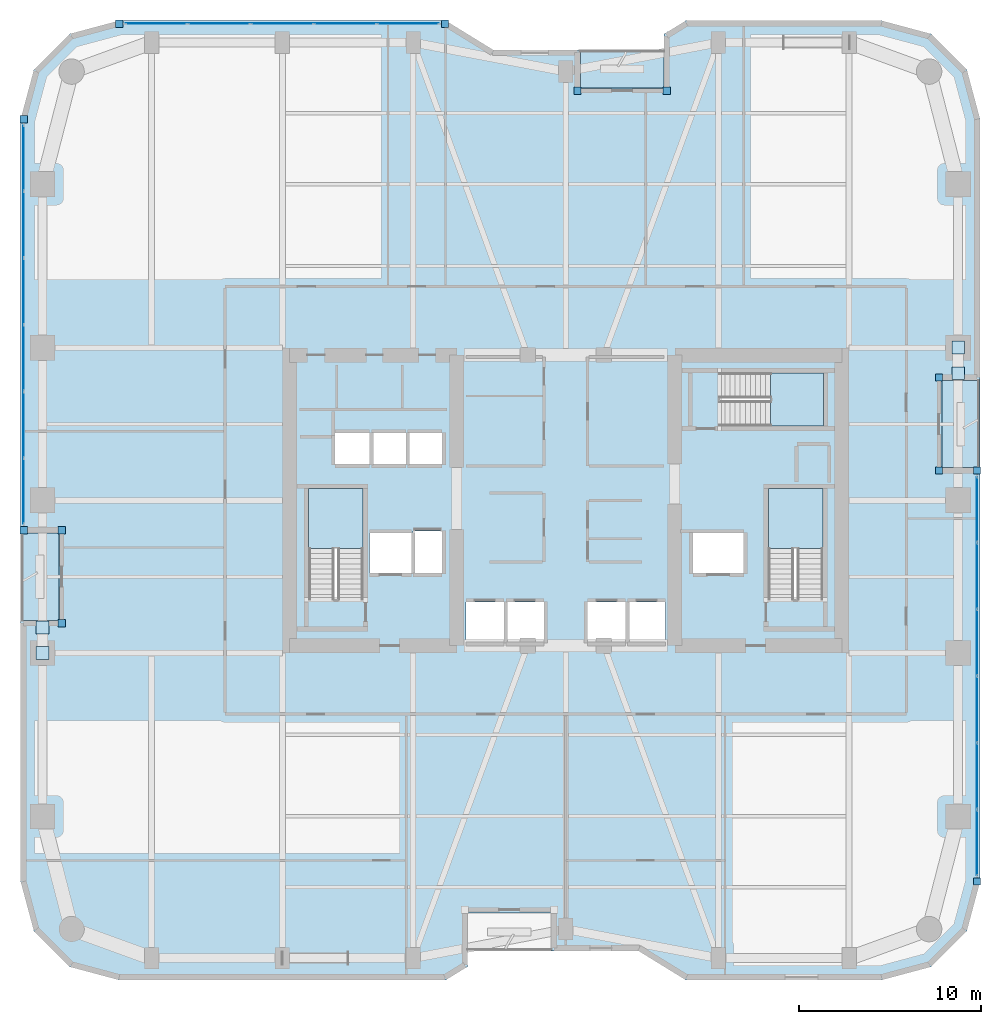
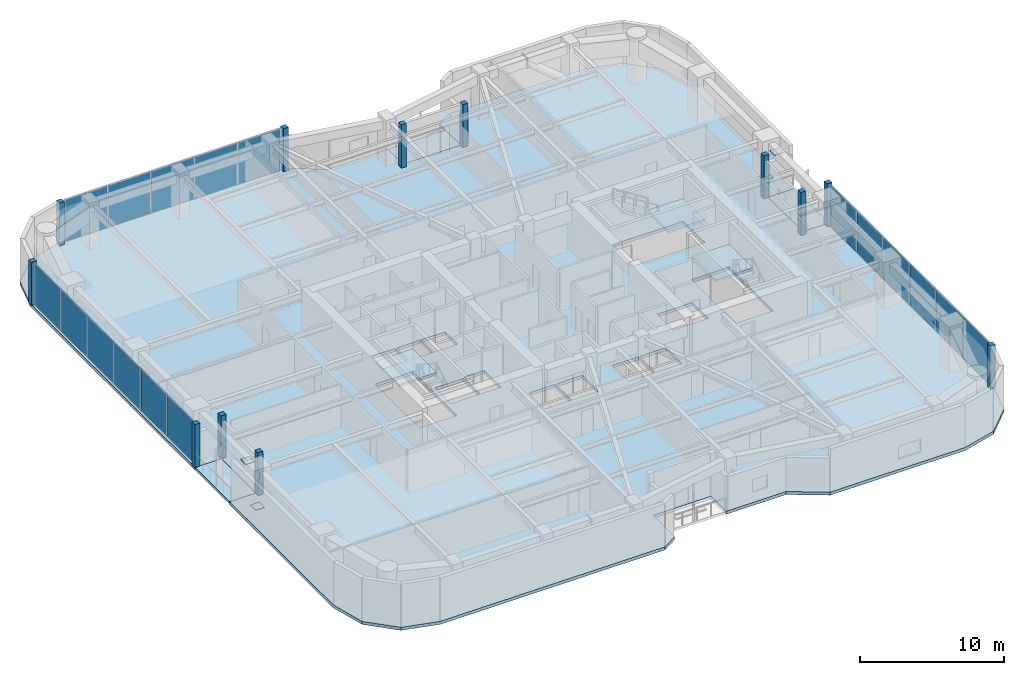
# One storey, part 16 of 24: 33 plates, 7 slabs, 6 elements without a shape of their own.
"""IFC4 building model written with IfcOpenShell, lengths in metres."""

from ifc_helpers import new_model, si_unit, direction, frame, origin, origin_2d, place, context, subcontext, project, spatial, polyline, rectangle, outline, extrude, material, layer, layer_set, type_object, element, aggregate, save


model = new_model("IFC4")

# Units and contexts
model_context = context("Model", 3, precision=1e-05, world=origin(), true_north=direction((0.0, 1.0)))
body_context = subcontext(model_context, "Body", "Model", "MODEL_VIEW")
ifc_project = project(units=[si_unit("LENGTHUNIT", "METRE"), si_unit("AREAUNIT", "SQUARE_METRE"), si_unit("VOLUMEUNIT", "CUBIC_METRE"), si_unit("PLANEANGLEUNIT", "RADIAN"), si_unit("MASSUNIT", "GRAM", prefix="KILO")], contexts=[model_context])

# Site, building, storey
site_placement = place(None, origin())
site = spatial("IfcSite", under=ifc_project, at=site_placement, CompositionType="ELEMENT")
building_placement = place(site_placement, origin())
building = spatial("IfcBuilding", under=site, at=building_placement, Name="Kiyonajd Concourse Tower", CompositionType="ELEMENT")
storey_placement = place(building_placement, frame((0.0, 0.0, 93.60009765625)))
storey = spatial("IfcBuildingStorey", under=building, at=storey_placement, Name="L24", CompositionType="ELEMENT", Elevation=93.60009765625)

# Plates
ifc_material_1 = material(Name="Steel ASTM A572 Grade 50", Category="steel")
ifc_layer_1 = layer(ifc_material_1, 0.028076171875)
ifc_layer_set_1 = layer_set([ifc_layer_1], Name="Steel ASTM A572 Grade 50")
plate_type_1 = type_object("IfcPlateType", Name="PL-CAP-450", PredefinedType="USERDEFINED", material=ifc_layer_set_1)
for number, where, z_axis, x_axis, name in (
    (1, (19.199951171875, 27.59521484375, 0.27587890625), (0.0, 0.0, 1.0), (1.0, 0.0, 0.0), "L24 Hollow Brace End Cap Plate PBW"),
    (2, (19.199951171875, 29.004638671875, 3.28564453125), (0.0, 0.0, 1.0), (1.0, 0.0, 0.0), "L24 Hollow Brace Top Cap Plate PBW"),
    (3, (69.60009765625, 44.40478515625, 0.27587890625), (0.0, 0.0, 1.0), (1.0, 0.0, 0.0), "L24 Hollow Brace End Cap Plate PBE"),
    (4, (69.60009765625, 42.995361328125, 3.28564453125), (0.0, 0.0, 1.0), (1.0, 0.0, 0.0), "L24 Hollow Brace Top Cap Plate PBE"),
):
    element("IfcPlate", number, at=place(storey_placement, frame(where, z_axis=z_axis, x_axis=x_axis)), inside=storey, type_object=plate_type_1, Name=name, ObjectType="CAP PLATE", PredefinedType="USERDEFINED", context=body_context, shape_type="SweptSolid", body=[
        extrude(rectangle(XDim=0.7099609375, YDim=0.7099609375, at=origin_2d()), origin(), (0.0, 0.0, 1.0), 0.028076171875),
    ])

# Curtain wall, plates
ifc_material_2 = material(Name="Thermally Broken Anodised Aluminium", Category="aluminium")
ifc_layer_2 = layer(ifc_material_2, 0.179931640625)
ifc_layer_set_2 = layer_set([ifc_layer_2], Name="Thermally Broken Anodised Aluminium")
curtain_wall_type = type_object("IfcCurtainWallType", Name="CW-SYS-03", PredefinedType="NOTDEFINED", material=ifc_layer_set_2)
curtain_wall_1_placement = place(storey_placement, origin())
curtain_wall_1 = element("IfcCurtainWall", 5, at=curtain_wall_1_placement, inside=storey, type_object=curtain_wall_type, Name="L24 Unitised Curtain Wall CW3", PredefinedType="NOTDEFINED")
ifc_material_3 = material(Name="Double Low-E Insulated Glass", Category="glass")
ifc_layer_3 = layer(ifc_material_3, 0.033935546875)
ifc_layer_set_3 = layer_set([ifc_layer_3], Name="Double Low-E Insulated Glass")
plate_type_2 = type_object("IfcPlateType", Name="PL-CW-VIS34", PredefinedType="CURTAIN_PANEL", material=ifc_layer_set_3)
plate_1_placement = place(storey_placement, frame((18.159912109375, 36.5029296875, 0.06494140625), z_axis=(0.0, 0.0, 1.0), x_axis=(0.0, 1.0, 0.0)))
plate_1 = element("IfcPlate", 6, at=plate_1_placement, type_object=plate_type_2, Name="CW3 panel 1.1", PredefinedType="CURTAIN_PANEL", context=body_context, shape_type="SweptSolid", body=[
    extrude(rectangle(XDim=3.57568359375, YDim=0.033935546875, at=origin_2d()), origin(), (0.0, 0.0, 1.0), 3.510009765625),
])
plate_2_placement = place(storey_placement, frame((18.159912109375, 40.15966796875, 0.06494140625), z_axis=(0.0, 0.0, 1.0), x_axis=(0.0, 1.0, 0.0)))
plate_2 = element("IfcPlate", 7, at=plate_2_placement, type_object=plate_type_2, Name="CW3 panel 2.1", PredefinedType="CURTAIN_PANEL", context=body_context, shape_type="SweptSolid", body=[
    extrude(rectangle(XDim=3.608154296875, YDim=0.033935546875, at=origin_2d()), origin(), (0.0, 0.0, 1.0), 3.510009765625),
])
plate_3_placement = place(storey_placement, frame((18.159912109375, 43.832763671875, 0.06494140625), z_axis=(0.0, 0.0, 1.0), x_axis=(0.0, 1.0, 0.0)))
plate_3 = element("IfcPlate", 8, at=plate_3_placement, type_object=plate_type_2, Name="CW3 panel 3.1", PredefinedType="CURTAIN_PANEL", context=body_context, shape_type="SweptSolid", body=[
    extrude(rectangle(XDim=3.608154296875, YDim=0.033935546875, at=origin_2d()), origin(), (0.0, 0.0, 1.0), 3.510009765625),
])
plate_4_placement = place(storey_placement, frame((18.159912109375, 47.506103515625, 0.06494140625), z_axis=(0.0, 0.0, 1.0), x_axis=(0.0, 1.0, 0.0)))
plate_4 = element("IfcPlate", 9, at=plate_4_placement, type_object=plate_type_2, Name="CW3 panel 4.1", PredefinedType="CURTAIN_PANEL", context=body_context, shape_type="SweptSolid", body=[
    extrude(rectangle(XDim=3.608154296875, YDim=0.033935546875, at=origin_2d()), origin(), (0.0, 0.0, 1.0), 3.510009765625),
])
plate_5_placement = place(storey_placement, frame((18.159912109375, 51.17919921875, 0.06494140625), z_axis=(0.0, 0.0, 1.0), x_axis=(0.0, 1.0, 0.0)))
plate_5 = element("IfcPlate", 10, at=plate_5_placement, type_object=plate_type_2, Name="CW3 panel 5.1", PredefinedType="CURTAIN_PANEL", context=body_context, shape_type="SweptSolid", body=[
    extrude(rectangle(XDim=3.608154296875, YDim=0.033935546875, at=origin_2d()), origin(), (0.0, 0.0, 1.0), 3.510009765625),
])
plate_6_placement = place(storey_placement, frame((18.159912109375, 54.836181640625, 0.06494140625), z_axis=(0.0, 0.0, 1.0), x_axis=(0.0, 1.0, 0.0)))
plate_6 = element("IfcPlate", 11, at=plate_6_placement, type_object=plate_type_2, Name="CW3 panel 6.1", PredefinedType="CURTAIN_PANEL", context=body_context, shape_type="SweptSolid", body=[
    extrude(rectangle(XDim=3.57568359375, YDim=0.033935546875, at=origin_2d()), origin(), (0.0, 0.0, 1.0), 3.510009765625),
])
aggregate(curtain_wall_1, [plate_1, plate_2, plate_3, plate_4, plate_5, plate_6])

curtain_wall_2_placement = place(storey_placement, origin())
curtain_wall_2 = element("IfcCurtainWall", 12, at=curtain_wall_2_placement, inside=storey, type_object=curtain_wall_type, Name="L24 Unitised Curtain Wall CW3", PredefinedType="NOTDEFINED")
plate_7_placement = place(storey_placement, frame((25.462646484375, 62.239990234375, 0.06494140625), z_axis=(0.0, 0.0, 1.0), x_axis=(1.0, 0.0, 0.0)))
plate_7 = element("IfcPlate", 13, at=plate_7_placement, type_object=plate_type_2, Name="CW3 panel 1.1", PredefinedType="CURTAIN_PANEL", context=body_context, shape_type="SweptSolid", body=[
    extrude(rectangle(XDim=3.373291015625, YDim=0.033935546875, at=origin_2d()), origin(), (0.0, 0.0, 1.0), 3.510009765625),
])
plate_8_placement = place(storey_placement, frame((28.917236328125, 62.239990234375, 0.06494140625), z_axis=(0.0, 0.0, 1.0), x_axis=(1.0, 0.0, 0.0)))
plate_8 = element("IfcPlate", 14, at=plate_8_placement, type_object=plate_type_2, Name="CW3 panel 2.1", PredefinedType="CURTAIN_PANEL", context=body_context, shape_type="SweptSolid", body=[
    extrude(rectangle(XDim=3.40576171875, YDim=0.033935546875, at=origin_2d()), origin(), (0.0, 0.0, 1.0), 3.510009765625),
])
plate_9_placement = place(storey_placement, frame((32.387939453125, 62.239990234375, 0.06494140625), z_axis=(0.0, 0.0, 1.0), x_axis=(1.0, 0.0, 0.0)))
plate_9 = element("IfcPlate", 15, at=plate_9_placement, type_object=plate_type_2, Name="CW3 panel 3.1", PredefinedType="CURTAIN_PANEL", context=body_context, shape_type="SweptSolid", body=[
    extrude(rectangle(XDim=3.40576171875, YDim=0.033935546875, at=origin_2d()), origin(), (0.0, 0.0, 1.0), 3.510009765625),
])
plate_10_placement = place(storey_placement, frame((35.858642578125, 62.239990234375, 0.06494140625), z_axis=(0.0, 0.0, 1.0), x_axis=(1.0, 0.0, 0.0)))
plate_10 = element("IfcPlate", 16, at=plate_10_placement, type_object=plate_type_2, Name="CW3 panel 4.1", PredefinedType="CURTAIN_PANEL", context=body_context, shape_type="SweptSolid", body=[
    extrude(rectangle(XDim=3.40576171875, YDim=0.033935546875, at=origin_2d()), origin(), (0.0, 0.0, 1.0), 3.510009765625),
])
plate_11_placement = place(storey_placement, frame((39.31298828125, 62.239990234375, 0.06494140625), z_axis=(0.0, 0.0, 1.0), x_axis=(1.0, 0.0, 0.0)))
plate_11 = element("IfcPlate", 17, at=plate_11_placement, type_object=plate_type_2, Name="CW3 panel 5.1", PredefinedType="CURTAIN_PANEL", context=body_context, shape_type="SweptSolid", body=[
    extrude(rectangle(XDim=3.373291015625, YDim=0.033935546875, at=origin_2d()), origin(), (0.0, 0.0, 1.0), 3.510009765625),
])
aggregate(curtain_wall_2, [plate_7, plate_8, plate_9, plate_10, plate_11])

curtain_wall_3_placement = place(storey_placement, origin())
curtain_wall_3 = element("IfcCurtainWall", 18, at=curtain_wall_3_placement, inside=storey, type_object=curtain_wall_type, Name="L24 Unitised Curtain Wall CW3", PredefinedType="NOTDEFINED")
plate_12_placement = place(storey_placement, frame((70.639892578125, 35.4970703125, 0.06494140625), z_axis=(0.0, 0.0, 1.0), x_axis=(0.0, -1.0, 0.0)))
plate_12 = element("IfcPlate", 19, at=plate_12_placement, type_object=plate_type_2, Name="CW3 panel 1.1", PredefinedType="CURTAIN_PANEL", context=body_context, shape_type="SweptSolid", body=[
    extrude(rectangle(XDim=3.57568359375, YDim=0.033935546875, at=origin_2d()), origin(), (0.0, 0.0, 1.0), 3.510009765625),
])
plate_13_placement = place(storey_placement, frame((70.639892578125, 31.84033203125, 0.06494140625), z_axis=(0.0, 0.0, 1.0), x_axis=(0.0, -1.0, 0.0)))
plate_13 = element("IfcPlate", 20, at=plate_13_placement, type_object=plate_type_2, Name="CW3 panel 2.1", PredefinedType="CURTAIN_PANEL", context=body_context, shape_type="SweptSolid", body=[
    extrude(rectangle(XDim=3.608154296875, YDim=0.033935546875, at=origin_2d()), origin(), (0.0, 0.0, 1.0), 3.510009765625),
])
plate_14_placement = place(storey_placement, frame((70.639892578125, 28.167236328125, 0.06494140625), z_axis=(0.0, 0.0, 1.0), x_axis=(0.0, -1.0, 0.0)))
plate_14 = element("IfcPlate", 21, at=plate_14_placement, type_object=plate_type_2, Name="CW3 panel 3.1", PredefinedType="CURTAIN_PANEL", context=body_context, shape_type="SweptSolid", body=[
    extrude(rectangle(XDim=3.608154296875, YDim=0.033935546875, at=origin_2d()), origin(), (0.0, 0.0, 1.0), 3.510009765625),
])
plate_15_placement = place(storey_placement, frame((70.639892578125, 24.493896484375, 0.06494140625), z_axis=(0.0, 0.0, 1.0), x_axis=(0.0, -1.0, 0.0)))
plate_15 = element("IfcPlate", 22, at=plate_15_placement, type_object=plate_type_2, Name="CW3 panel 4.1", PredefinedType="CURTAIN_PANEL", context=body_context, shape_type="SweptSolid", body=[
    extrude(rectangle(XDim=3.608154296875, YDim=0.033935546875, at=origin_2d()), origin(), (0.0, 0.0, 1.0), 3.510009765625),
])
plate_16_placement = place(storey_placement, frame((70.639892578125, 20.82080078125, 0.06494140625), z_axis=(0.0, 0.0, 1.0), x_axis=(0.0, -1.0, 0.0)))
plate_16 = element("IfcPlate", 23, at=plate_16_placement, type_object=plate_type_2, Name="CW3 panel 5.1", PredefinedType="CURTAIN_PANEL", context=body_context, shape_type="SweptSolid", body=[
    extrude(rectangle(XDim=3.608154296875, YDim=0.033935546875, at=origin_2d()), origin(), (0.0, 0.0, 1.0), 3.510009765625),
])
plate_17_placement = place(storey_placement, frame((70.639892578125, 17.163818359375, 0.06494140625), z_axis=(0.0, 0.0, 1.0), x_axis=(0.0, -1.0, 0.0)))
plate_17 = element("IfcPlate", 24, at=plate_17_placement, type_object=plate_type_2, Name="CW3 panel 6.1", PredefinedType="CURTAIN_PANEL", context=body_context, shape_type="SweptSolid", body=[
    extrude(rectangle(XDim=3.57568359375, YDim=0.033935546875, at=origin_2d()), origin(), (0.0, 0.0, 1.0), 3.510009765625),
])
aggregate(curtain_wall_3, [plate_12, plate_13, plate_14, plate_15, plate_16, plate_17])

# Plates
ifc_layer_4 = layer(ifc_material_2, 0.39990234375)
ifc_layer_set_4 = layer_set([ifc_layer_4], Name="Thermally Broken Anodised Aluminium")
plate_type_3 = type_object("IfcPlateType", Name="PL-JMB-400", PredefinedType="USERDEFINED", material=ifc_layer_set_4)
for number, where, z_axis, x_axis, name in (
    (25, (20.260009765625, 29.239990234375, 0.0), (0.0, 0.0, 1.0), (1.0, 0.0, 0.0), "L24 Facade Jamb Closure Plate 01"),
    (26, (20.260009765625, 34.360107421875, 0.0), (0.0, 0.0, 1.0), (1.0, 0.0, 0.0), "L24 Facade Jamb Closure Plate 02"),
    (27, (18.159912109375, 34.360107421875, 0.0), (0.0, 0.0, 1.0), (1.0, 0.0, 0.0), "L24 Facade Jamb Closure Plate 03"),
    (28, (18.159912109375, 56.97900390625, 0.0), (0.0, 0.0, 1.0), (1.0, 0.0, 0.0), "L24 Facade Jamb Closure Plate 04"),
    (29, (23.421142578125, 62.239990234375, 0.0), (0.0, 0.0, 1.0), (1.0, 0.0, 0.0), "L24 Facade Jamb Closure Plate 05"),
    (30, (41.354736328125, 62.239990234375, 0.0), (0.0, 0.0, 1.0), (1.0, 0.0, 0.0), "L24 Facade Jamb Closure Plate 06"),
    (31, (48.639892578125, 58.5400390625, 0.0), (0.0, 0.0, 1.0), (1.0, 0.0, 0.0), "L24 Facade Jamb Closure Plate 07"),
    (32, (53.56005859375, 58.5400390625, 0.0), (0.0, 0.0, 1.0), (1.0, 0.0, 0.0), "L24 Facade Jamb Closure Plate 08"),
    (33, (68.5400390625, 42.760009765625, 0.0), (0.0, 0.0, 1.0), (1.0, 0.0, 0.0), "L24 Facade Jamb Closure Plate 09"),
    (34, (68.5400390625, 37.639892578125, 0.0), (0.0, 0.0, 1.0), (1.0, 0.0, 0.0), "L24 Facade Jamb Closure Plate 10"),
    (35, (70.639892578125, 37.639892578125, 0.0), (0.0, 0.0, 1.0), (1.0, 0.0, 0.0), "L24 Facade Jamb Closure Plate 11"),
    (36, (70.639892578125, 15.02099609375, 0.0), (0.0, 0.0, 1.0), (1.0, 0.0, 0.0), "L24 Facade Jamb Closure Plate 12"),
):
    element("IfcPlate", number, at=place(storey_placement, frame(where, z_axis=z_axis, x_axis=x_axis)), inside=storey, type_object=plate_type_3, Name=name, ObjectType="JAMB PLATE", PredefinedType="USERDEFINED", context=body_context, shape_type="SweptSolid", body=[
        extrude(rectangle(XDim=0.39990234375, YDim=0.39990234375, at=origin_2d()), origin(), (0.0, 0.0, 1.0), 3.639892578125),
    ])

# Stair, slab
ifc_material_4 = material(Name="Concrete C40/50", Category="concrete")
stair_type = type_object("IfcStairType", Name="ST-DLG-22R", PredefinedType="HALF_TURN_STAIR", material=ifc_material_4)
stair_1_placement = place(storey_placement, origin())
stair_1 = element("IfcStair", 37, at=stair_1_placement, inside=storey, type_object=stair_type, Name="L24 Protected Exit Stair ST1", PredefinedType="HALF_TURN_STAIR")
ifc_layer_5 = layer(ifc_material_4, 0.199951171875)
ifc_layer_set_5 = layer_set([ifc_layer_5], Name="Concrete C40/50")
slab_type_1 = type_object("IfcSlabType", Name="SL-LND-200", PredefinedType="LANDING", material=ifc_layer_set_5)
slab_1_placement = place(storey_placement, frame((0.0, 0.0, 1.75)))
slab_1 = element("IfcSlab", 38, at=slab_1_placement, type_object=slab_type_1, Name="ST1 landing 1", PredefinedType="LANDING", context=body_context, shape_type="SweptSolid", body=[
    extrude(outline(polyline([(36.85009765625, 33.35009765625), (36.85009765625, 36.64990234375), (33.85009765625, 36.64990234375), (33.85009765625, 33.35009765625), (36.85009765625, 33.35009765625)])), origin(), (0.0, 0.0, 1.0), 0.199951171875),
])
aggregate(stair_1, [slab_1])

stair_2_placement = place(storey_placement, origin())
stair_2 = element("IfcStair", 39, at=stair_2_placement, inside=storey, type_object=stair_type, Name="L24 Protected Exit Stair ST2", PredefinedType="HALF_TURN_STAIR")
slab_2_placement = place(storey_placement, frame((0.0, 0.0, 1.75)))
slab_2 = element("IfcSlab", 40, at=slab_2_placement, type_object=slab_type_1, Name="ST2 landing 1", PredefinedType="LANDING", context=body_context, shape_type="SweptSolid", body=[
    extrude(outline(polyline([(62.14990234375, 33.35009765625), (62.14990234375, 36.64990234375), (59.14990234375, 36.64990234375), (59.14990234375, 33.35009765625), (62.14990234375, 33.35009765625)])), origin(), (0.0, 0.0, 1.0), 0.199951171875),
])
aggregate(stair_2, [slab_2])

stair_3_placement = place(storey_placement, origin())
stair_3 = element("IfcStair", 41, at=stair_3_placement, inside=storey, type_object=stair_type, Name="L24 Protected Exit Stair ST3", PredefinedType="HALF_TURN_STAIR")
slab_3_placement = place(storey_placement, frame((0.0, 0.0, 1.75)))
slab_3 = element("IfcSlab", 42, at=slab_3_placement, type_object=slab_type_1, Name="ST3 landing 1", PredefinedType="LANDING", context=body_context, shape_type="SweptSolid", body=[
    extrude(outline(polyline([(59.280029296875, 40.080078125), (62.179931640625, 40.080078125), (62.179931640625, 43.02001953125), (59.280029296875, 43.02001953125), (59.280029296875, 40.080078125)])), origin(), (0.0, 0.0, 1.0), 0.199951171875),
])
aggregate(stair_3, [slab_3])

# Slabs
ifc_material_5 = material(Name="Precast concrete C50/60", Category="concrete")
ifc_layer_6 = layer(ifc_material_5, 0.199951171875)
ifc_layer_set_6 = layer_set([ifc_layer_6], Name="Precast concrete C50/60")
slab_type_2 = type_object("IfcSlabType", Name="SL-LOG-200", PredefinedType="FLOOR", material=ifc_layer_set_6)
slab_4_placement = place(storey_placement, frame((0.0, 0.0, -0.2001953125)))
element("IfcSlab", 43, at=slab_4_placement, inside=storey, type_object=slab_type_2, Name="L24 Recessed Engawa Loggia Terrace Slab LOG-N", PredefinedType="FLOOR", context=body_context, shape_type="SweptSolid", body=[
    extrude(outline(polyline([(48.800048828125, 58.699951171875), (53.39990234375, 58.699951171875), (53.39990234375, 60.800048828125), (48.800048828125, 60.800048828125), (48.800048828125, 58.699951171875)])), origin(), (0.0, 0.0, 1.0), 0.2001953125),
])
slab_5_placement = place(storey_placement, frame((0.0, 0.0, -0.2001953125)))
element("IfcSlab", 44, at=slab_5_placement, inside=storey, type_object=slab_type_2, Name="L24 Recessed Engawa Loggia Terrace Slab LOG-W", PredefinedType="FLOOR", context=body_context, shape_type="SweptSolid", body=[
    extrude(outline(polyline([(18.0, 29.39990234375), (20.10009765625, 29.39990234375), (20.10009765625, 34.199951171875), (18.0, 34.199951171875), (18.0, 29.39990234375)])), origin(), (0.0, 0.0, 1.0), 0.2001953125),
])
slab_6_placement = place(storey_placement, frame((0.0, 0.0, -0.2001953125)))
element("IfcSlab", 45, at=slab_6_placement, inside=storey, type_object=slab_type_2, Name="L24 Recessed Engawa Loggia Terrace Slab LOG-E", PredefinedType="FLOOR", context=body_context, shape_type="SweptSolid", body=[
    extrude(outline(polyline([(68.699951171875, 37.800048828125), (70.800048828125, 37.800048828125), (70.800048828125, 42.60009765625), (68.699951171875, 42.60009765625), (68.699951171875, 37.800048828125)])), origin(), (0.0, 0.0, 1.0), 0.2001953125),
])
ifc_layer_7 = layer(ifc_material_4, 0.260009765625)
ifc_layer_set_7 = layer_set([ifc_layer_7], Name="Concrete C40/50")
slab_type_3 = type_object("IfcSlabType", Name="SL-TWR-260", PredefinedType="FLOOR", material=ifc_layer_set_7)
slab_7_placement = place(storey_placement, frame((0.0, 0.0, -0.260009765625)))
element("IfcSlab", 46, at=slab_7_placement, inside=storey, type_object=slab_type_3, Name="L24 Tower Conditioned Floor Slab", PredefinedType="FLOOR", context=body_context, shape_type="SweptSolid", body=[
    extrude(outline(polyline([(18.722900390625, 12.300048828125), (18.0, 15.0), (18.0, 29.39990234375), (20.10009765625, 29.39990234375), (20.10009765625, 34.199951171875), (18.0, 34.199951171875), (18.0, 57.0), (18.722900390625, 59.699951171875), (20.699951171875, 61.677001953125), (23.39990234375, 62.39990234375), (41.39990234375, 62.39990234375), (44.0, 60.800048828125), (48.800048828125, 60.800048828125), (48.800048828125, 58.699951171875), (53.39990234375, 58.699951171875), (53.39990234375, 61.662109375), (54.60009765625, 62.39990234375), (65.39990234375, 62.39990234375), (68.10009765625, 61.677001953125), (70.076904296875, 59.699951171875), (70.800048828125, 57.0), (70.800048828125, 42.60009765625), (68.699951171875, 42.60009765625), (68.699951171875, 37.800048828125), (70.800048828125, 37.800048828125), (70.800048828125, 15.0), (70.076904296875, 12.300048828125), (68.10009765625, 10.322998046875), (65.39990234375, 9.60009765625), (54.60009765625, 9.60009765625), (52.0, 11.199951171875), (47.199951171875, 11.199951171875), (47.199951171875, 13.300048828125), (42.60009765625, 13.300048828125), (42.60009765625, 10.337890625), (41.39990234375, 9.60009765625), (23.39990234375, 9.60009765625), (20.699951171875, 10.322998046875), (18.722900390625, 12.300048828125)]), holes=[polyline([(44.60009765625, 28.199951171875), (42.5, 28.199951171875), (42.5, 30.39990234375), (44.60009765625, 30.39990234375), (44.60009765625, 28.199951171875)]), polyline([(37.199951171875, 32.0), (37.199951171875, 34.199951171875), (39.5, 34.199951171875), (39.5, 32.0), (37.199951171875, 32.0)]), polyline([(39.60009765625, 32.0), (39.60009765625, 34.300048828125), (41.199951171875, 34.300048828125), (41.199951171875, 32.0), (39.60009765625, 32.0)]), polyline([(36.85009765625, 30.550048828125), (33.85009765625, 30.550048828125), (33.85009765625, 36.64990234375), (36.85009765625, 36.64990234375), (36.85009765625, 30.550048828125)]), polyline([(35.300048828125, 38.0), (35.300048828125, 39.699951171875), (37.199951171875, 39.699951171875), (37.199951171875, 38.0), (35.300048828125, 38.0)]), polyline([(37.300048828125, 38.0), (37.300048828125, 39.699951171875), (39.199951171875, 39.699951171875), (39.199951171875, 38.0), (37.300048828125, 38.0)]), polyline([(41.199951171875, 38.0), (39.300048828125, 38.0), (39.300048828125, 39.699951171875), (41.199951171875, 39.699951171875), (41.199951171875, 38.0)]), polyline([(44.699951171875, 28.199951171875), (44.699951171875, 30.39990234375), (46.800048828125, 30.39990234375), (46.800048828125, 28.199951171875), (44.699951171875, 28.199951171875)]), polyline([(49.199951171875, 28.199951171875), (49.199951171875, 30.39990234375), (51.300048828125, 30.39990234375), (51.300048828125, 28.199951171875), (49.199951171875, 28.199951171875)]), polyline([(51.39990234375, 28.199951171875), (51.39990234375, 30.39990234375), (53.5, 30.39990234375), (53.5, 28.199951171875), (51.39990234375, 28.199951171875)]), polyline([(55.0, 32.0), (55.0, 34.199951171875), (57.800048828125, 34.199951171875), (57.800048828125, 32.0), (55.0, 32.0)]), polyline([(59.14990234375, 30.550048828125), (59.14990234375, 36.64990234375), (62.14990234375, 36.64990234375), (62.14990234375, 30.550048828125), (59.14990234375, 30.550048828125)]), polyline([(56.47998046875, 43.02001953125), (62.179931640625, 43.02001953125), (62.179931640625, 40.080078125), (56.47998046875, 40.080078125), (56.47998046875, 43.02001953125)])]), origin(), (0.0, 0.0, 1.0), 0.260009765625),
])

save(model, "model.ifc")
